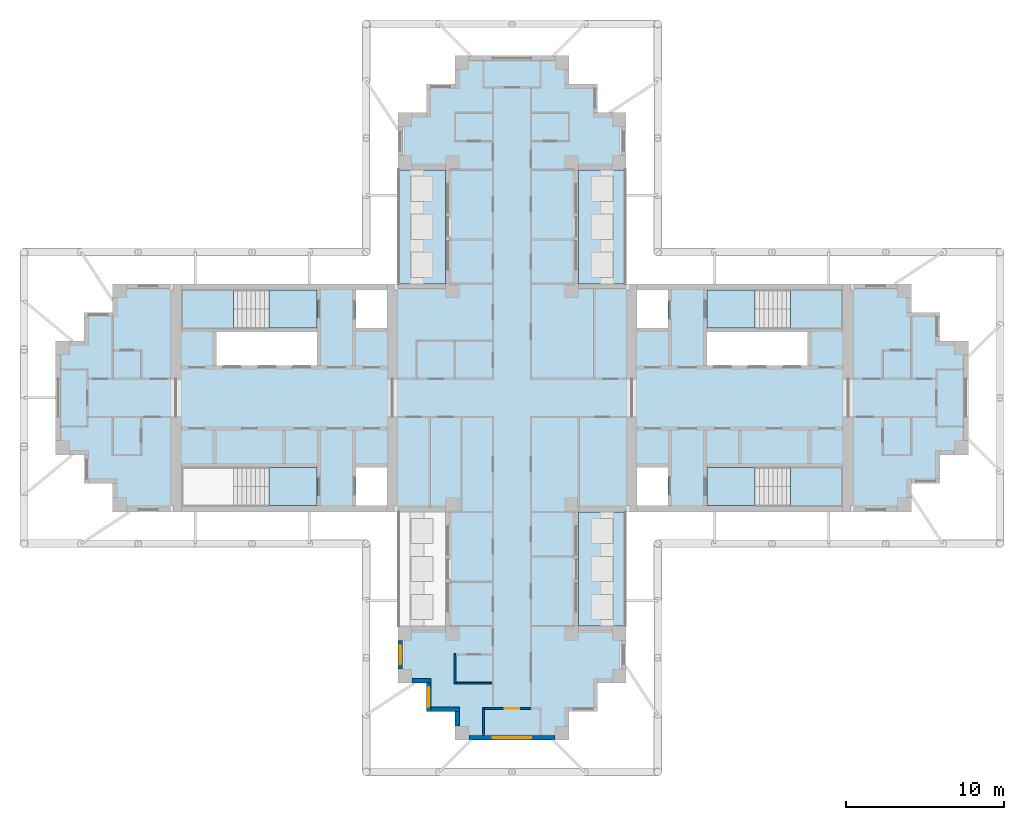
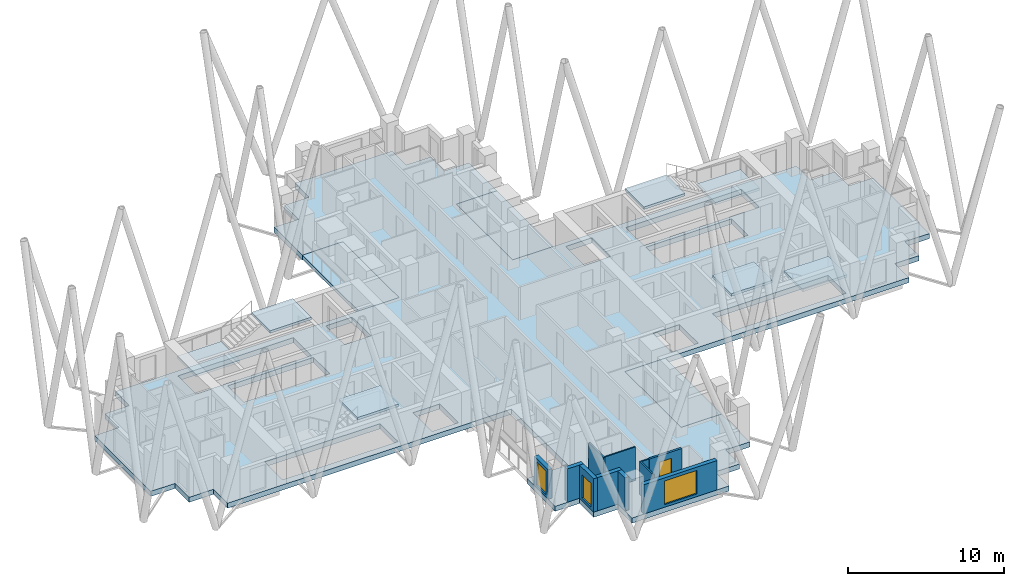
# One storey, part 2 of 11: 11 slabs, 11 walls, 3 windows, 1 door, 4 openings, 4 elements without a shape of their own.
"""IFC4 building model written with IfcOpenShell, lengths in metres."""

from ifc_helpers import new_model, si_unit, direction, frame, frame_2d, origin, place, context, subcontext, project, spatial, polyline, rectangle, outline, extrude, material, layer, layer_set, type_object, element, fill, aggregate, save


model = new_model("IFC4")

# Units and contexts
model_context = context("Model", 3, precision=1e-05, world=origin(), true_north=direction((0.0, 1.0)))
body_context = subcontext(model_context, "Body", "Model", "MODEL_VIEW")
ifc_project = project(units=[si_unit("LENGTHUNIT", "METRE"), si_unit("AREAUNIT", "SQUARE_METRE"), si_unit("VOLUMEUNIT", "CUBIC_METRE"), si_unit("PLANEANGLEUNIT", "RADIAN"), si_unit("MASSUNIT", "GRAM", prefix="KILO")], contexts=[model_context])

# Site, building, storey
site_placement = place(None, origin())
site = spatial("IfcSite", under=ifc_project, at=site_placement, CompositionType="ELEMENT")
building_placement = place(site_placement, origin())
building = spatial("IfcBuilding", under=site, at=building_placement, Name="Fustian Cross Tower", CompositionType="ELEMENT")
storey_placement = place(building_placement, frame((0.0, 0.0, 234.89990234375)))
storey = spatial("IfcBuildingStorey", under=building, at=storey_placement, Name="L74", CompositionType="ELEMENT", Elevation=234.89990234375)

# Slabs
ifc_material_1 = material(Name="Concrete C40/50", Category="concrete")
ifc_layer_1 = layer(ifc_material_1, 0.300048828125)
ifc_layer_set_1 = layer_set([ifc_layer_1], Name="Concrete C40/50")
slab_type_1 = type_object("IfcSlabType", Name="BS1 BALCONY SLAB 300", PredefinedType="FLOOR", material=ifc_layer_set_1)
slab_1_placement = place(storey_placement, frame((0.0, 0.0, -0.2998046875)))
element("IfcSlab", 1, at=slab_1_placement, inside=storey, type_object=slab_type_1, Name="Balcony slab", PredefinedType="FLOOR", context=body_context, shape_type="SweptSolid", body=[
    extrude(outline(polyline([(4.199951171875, 7.199951171875), (7.199951171875, 7.199951171875), (7.199951171875, 14.39990234375), (4.199951171875, 14.39990234375), (4.199951171875, 7.199951171875)])), origin(), (0.0, 0.0, 1.0), 0.2998046875),
])
slab_2_placement = place(storey_placement, frame((0.0, 0.0, -0.2998046875)))
element("IfcSlab", 2, at=slab_2_placement, inside=storey, type_object=slab_type_1, Name="Balcony slab", PredefinedType="FLOOR", context=body_context, shape_type="SweptSolid", body=[
    extrude(outline(polyline([(-7.199951171875, 7.199951171875), (-4.199951171875, 7.199951171875), (-4.199951171875, 14.39990234375), (-7.199951171875, 14.39990234375), (-7.199951171875, 7.199951171875)])), origin(), (0.0, 0.0, 1.0), 0.2998046875),
])
slab_3_placement = place(storey_placement, frame((0.0, 0.0, -0.2998046875)))
element("IfcSlab", 3, at=slab_3_placement, inside=storey, type_object=slab_type_1, Name="Balcony slab", PredefinedType="FLOOR", context=body_context, shape_type="SweptSolid", body=[
    extrude(outline(polyline([(4.199951171875, -14.39990234375), (7.199951171875, -14.39990234375), (7.199951171875, -7.199951171875), (4.199951171875, -7.199951171875), (4.199951171875, -14.39990234375)])), origin(), (0.0, 0.0, 1.0), 0.2998046875),
])
ifc_material_2 = material(Name="Concrete C40/50", Category="concrete")
ifc_layer_2 = layer(ifc_material_2, 0.39990234375)
ifc_layer_set_2 = layer_set([ifc_layer_2], Name="Concrete C40/50")
slab_type_2 = type_object("IfcSlabType", Name="FLAT SLAB 400", PredefinedType="FLOOR", material=ifc_layer_set_2)
slab_4_placement = place(storey_placement, frame((0.0, 0.0, -0.39990234375)))
element("IfcSlab", 4, at=slab_4_placement, inside=storey, type_object=slab_type_2, Name="FLOOR SLAB L74-1", PredefinedType="FLOOR", context=body_context, shape_type="SweptSolid", body=[
    extrude(outline(polyline([(-3.60009765625, -19.800048828125), (-5.39990234375, -19.800048828125), (-5.39990234375, -18.0), (-7.199951171875, -18.0), (-7.199951171875, -14.39990234375), (-4.199951171875, -14.39990234375), (-4.199951171875, -7.199951171875), (-25.199951171875, -7.199951171875), (-25.199951171875, -5.39990234375), (-27.0, -5.39990234375), (-27.0, -3.60009765625), (-28.800048828125, -3.60009765625), (-28.800048828125, 3.60009765625), (-27.0, 3.60009765625), (-27.0, 5.39990234375), (-25.199951171875, 5.39990234375), (-25.199951171875, 7.199951171875), (-4.199951171875, 7.199951171875), (-4.199951171875, 14.39990234375), (-7.199951171875, 14.39990234375), (-7.199951171875, 18.0), (-5.39990234375, 18.0), (-5.39990234375, 19.800048828125), (-3.60009765625, 19.800048828125), (-3.60009765625, 21.60009765625), (3.60009765625, 21.60009765625), (3.60009765625, 19.800048828125), (5.39990234375, 19.800048828125), (5.39990234375, 18.0), (7.199951171875, 18.0), (7.199951171875, 14.39990234375), (4.199951171875, 14.39990234375), (4.199951171875, 7.199951171875), (25.199951171875, 7.199951171875), (25.199951171875, 5.39990234375), (27.0, 5.39990234375), (27.0, 3.60009765625), (28.800048828125, 3.60009765625), (28.800048828125, -3.60009765625), (27.0, -3.60009765625), (27.0, -5.39990234375), (25.199951171875, -5.39990234375), (25.199951171875, -7.199951171875), (4.199951171875, -7.199951171875), (4.199951171875, -14.39990234375), (7.199951171875, -14.39990234375), (7.199951171875, -18.0), (5.39990234375, -18.0), (5.39990234375, -19.800048828125), (3.60009765625, -19.800048828125), (3.60009765625, -21.60009765625), (-3.60009765625, -21.60009765625), (-3.60009765625, -19.800048828125)]), holes=[polyline([(7.89990234375, 6.800048828125), (7.89990234375, 4.39990234375), (9.85009765625, 4.39990234375), (9.85009765625, 6.800048828125), (7.89990234375, 6.800048828125)]), polyline([(9.85009765625, -4.39990234375), (7.89990234375, -4.39990234375), (7.89990234375, -6.800048828125), (9.85009765625, -6.800048828125), (9.85009765625, -4.39990234375)]), polyline([(-7.89990234375, 4.39990234375), (-7.89990234375, 6.800048828125), (-9.85009765625, 6.800048828125), (-9.85009765625, 4.39990234375), (-7.89990234375, 4.39990234375)]), polyline([(-9.85009765625, -6.800048828125), (-7.89990234375, -6.800048828125), (-7.89990234375, -4.39990234375), (-9.85009765625, -4.39990234375), (-9.85009765625, -6.800048828125)]), polyline([(12.300048828125, 4.14990234375), (12.300048828125, 2.050048828125), (18.64990234375, 2.050048828125), (18.64990234375, 4.14990234375), (12.300048828125, 4.14990234375)]), polyline([(-12.300048828125, 4.14990234375), (-18.64990234375, 4.14990234375), (-18.64990234375, 2.050048828125), (-12.300048828125, 2.050048828125), (-12.300048828125, 4.14990234375)]), polyline([(20.85009765625, 4.39990234375), (20.85009765625, 6.699951171875), (12.300048828125, 6.699951171875), (12.300048828125, 4.39990234375), (20.85009765625, 4.39990234375)]), polyline([(12.300048828125, -6.699951171875), (20.85009765625, -6.699951171875), (20.85009765625, -4.39990234375), (12.300048828125, -4.39990234375), (12.300048828125, -6.699951171875)]), polyline([(-20.85009765625, 6.699951171875), (-20.85009765625, 4.39990234375), (-12.300048828125, 4.39990234375), (-12.300048828125, 6.699951171875), (-20.85009765625, 6.699951171875)]), polyline([(-12.300048828125, -4.39990234375), (-20.85009765625, -4.39990234375), (-20.85009765625, -6.699951171875), (-12.300048828125, -6.699951171875), (-12.300048828125, -4.39990234375)])]), origin(), (0.0, 0.0, 1.0), 0.39990234375),
])

# Stair, slabs
ifc_material_3 = material(Name="Concrete C50/60", Category="concrete")
stair_type = type_object("IfcStairType", Name="STAIR 1200 HALF TURN", PredefinedType="HALF_TURN_STAIR", material=ifc_material_3)
stair_1_placement = place(storey_placement, origin())
stair_1 = element("IfcStair", 5, at=stair_1_placement, inside=storey, type_object=stair_type, Name="Stair ST1", PredefinedType="HALF_TURN_STAIR")
ifc_material_4 = material(Name="Concrete C50/60", Category="concrete")
ifc_layer_3 = layer(ifc_material_4, 0.199951171875)
ifc_layer_set_3 = layer_set([ifc_layer_3], Name="Concrete C50/60")
slab_type_3 = type_object("IfcSlabType", Name="STAIR LANDING", PredefinedType="LANDING", material=ifc_layer_set_3)
slab_5_placement = place(storey_placement, frame((0.0, 0.0, 1.300048828125)))
slab_5 = element("IfcSlab", 6, at=slab_5_placement, type_object=slab_type_3, Name="ST1 landing 1", PredefinedType="LANDING", context=body_context, shape_type="SweptSolid", body=[
    extrude(outline(polyline([(17.590087890625, 4.39990234375), (20.85009765625, 4.39990234375), (20.85009765625, 6.800048828125), (17.590087890625, 6.800048828125), (17.590087890625, 4.39990234375)])), origin(), (0.0, 0.0, 1.0), 0.199951171875),
])
slab_6_placement = place(storey_placement, frame((0.0, 0.0, 2.800048828125)))
slab_6 = element("IfcSlab", 7, at=slab_6_placement, type_object=slab_type_3, Name="ST1 landing 2", PredefinedType="LANDING", context=body_context, shape_type="SweptSolid", body=[
    extrude(outline(polyline([(12.300048828125, 4.39990234375), (15.35009765625, 4.39990234375), (15.35009765625, 6.800048828125), (12.300048828125, 6.800048828125), (12.300048828125, 4.39990234375)])), origin(), (0.0, 0.0, 1.0), 0.199951171875),
])
aggregate(stair_1, [slab_5, slab_6])

stair_2_placement = place(storey_placement, origin())
stair_2 = element("IfcStair", 8, at=stair_2_placement, inside=storey, type_object=stair_type, Name="Stair ST2", PredefinedType="HALF_TURN_STAIR")
slab_7_placement = place(storey_placement, frame((0.0, 0.0, 1.300048828125)))
slab_7 = element("IfcSlab", 9, at=slab_7_placement, type_object=slab_type_3, Name="ST2 landing 1", PredefinedType="LANDING", context=body_context, shape_type="SweptSolid", body=[
    extrude(outline(polyline([(17.590087890625, -4.39990234375), (20.85009765625, -4.39990234375), (20.85009765625, -6.800048828125), (17.590087890625, -6.800048828125), (17.590087890625, -4.39990234375)])), origin(), (0.0, 0.0, 1.0), 0.199951171875),
])
slab_8_placement = place(storey_placement, frame((0.0, 0.0, 2.800048828125)))
slab_8 = element("IfcSlab", 10, at=slab_8_placement, type_object=slab_type_3, Name="ST2 landing 2", PredefinedType="LANDING", context=body_context, shape_type="SweptSolid", body=[
    extrude(outline(polyline([(12.300048828125, -4.39990234375), (15.35009765625, -4.39990234375), (15.35009765625, -6.800048828125), (12.300048828125, -6.800048828125), (12.300048828125, -4.39990234375)])), origin(), (0.0, 0.0, 1.0), 0.199951171875),
])
aggregate(stair_2, [slab_7, slab_8])

stair_3_placement = place(storey_placement, origin())
stair_3 = element("IfcStair", 11, at=stair_3_placement, inside=storey, type_object=stair_type, Name="Stair ST3", PredefinedType="HALF_TURN_STAIR")
slab_9_placement = place(storey_placement, frame((0.0, 0.0, 1.300048828125)))
slab_9 = element("IfcSlab", 12, at=slab_9_placement, type_object=slab_type_3, Name="ST3 landing 1", PredefinedType="LANDING", context=body_context, shape_type="SweptSolid", body=[
    extrude(outline(polyline([(-17.590087890625, 4.39990234375), (-20.85009765625, 4.39990234375), (-20.85009765625, 6.800048828125), (-17.590087890625, 6.800048828125), (-17.590087890625, 4.39990234375)])), origin(), (0.0, 0.0, 1.0), 0.199951171875),
])
slab_10_placement = place(storey_placement, frame((0.0, 0.0, 2.800048828125)))
slab_10 = element("IfcSlab", 13, at=slab_10_placement, type_object=slab_type_3, Name="ST3 landing 2", PredefinedType="LANDING", context=body_context, shape_type="SweptSolid", body=[
    extrude(outline(polyline([(-12.300048828125, 4.39990234375), (-15.35009765625, 4.39990234375), (-15.35009765625, 6.800048828125), (-12.300048828125, 6.800048828125), (-12.300048828125, 4.39990234375)])), origin(), (0.0, 0.0, 1.0), 0.199951171875),
])
aggregate(stair_3, [slab_9, slab_10])

# Stair, slab
stair_4_placement = place(storey_placement, origin())
stair_4 = element("IfcStair", 14, at=stair_4_placement, inside=storey, type_object=stair_type, Name="Stair ST4", PredefinedType="HALF_TURN_STAIR")
slab_11_placement = place(storey_placement, frame((0.0, 0.0, 2.800048828125)))
slab_11 = element("IfcSlab", 15, at=slab_11_placement, type_object=slab_type_3, Name="ST4 landing 2", PredefinedType="LANDING", context=body_context, shape_type="SweptSolid", body=[
    extrude(outline(polyline([(-12.300048828125, -4.39990234375), (-15.35009765625, -4.39990234375), (-15.35009765625, -6.800048828125), (-12.300048828125, -6.800048828125), (-12.300048828125, -4.39990234375)])), origin(), (0.0, 0.0, 1.0), 0.199951171875),
])
aggregate(stair_4, [slab_11])

# Wall, opening, door
ifc_material_5 = material(Name="Plasterboard on steel stud", Category="steel")
ifc_layer_4 = layer(ifc_material_5, 0.14990234375)
ifc_layer_set_4 = layer_set([ifc_layer_4], Name="Plasterboard on steel stud")
wall_type_1 = type_object("IfcWallType", Name="COMPARTMENT WALL 150 EI 60", PredefinedType="PARTITIONING", material=ifc_layer_set_4)
wall_1_placement = place(storey_placement, frame((-1.199951171875, -19.60009765625, 0.0), z_axis=(0.0, 0.0, 1.0), x_axis=(1.0, 0.0, 0.0)))
wall_1 = element("IfcWall", 16, at=wall_1_placement, inside=storey, type_object=wall_type_1, Name="Partition 39", PredefinedType="PARTITIONING", context=body_context, shape_type="SweptSolid", body=[
    extrude(rectangle(XDim=2.39990234375, YDim=0.14990234375, at=frame_2d((1.199951171875, 0.0))), origin(), (0.0, 0.0, 1.0), 2.60009765625),
])
opening_1_placement = place(wall_1_placement, frame((0.75, 0.0, 0.0)))
opening_1 = element("IfcOpeningElement", 17, at=opening_1_placement, cuts=wall_1, Name="Opening D33032", PredefinedType="OPENING", context=body_context, shape_type="SweptSolid", body=[
    extrude(rectangle(XDim=0.89990234375, YDim=2.10009765625, at=frame_2d((0.449951171875, 1.050048828125))), frame((0.0, 0.0849609375, 0.0), z_axis=(0.0, -1.0, 0.0), x_axis=(1.0, 0.0, 0.0)), (0.0, 0.0, 1.0), 0.169921875),
])
ifc_material_6 = material(Name="Timber fire door set", Category="wood")
door_type = type_object("IfcDoorType", Name="FIRE SWING DOOR 900 FD30S", OperationType="SINGLE_SWING_LEFT", PredefinedType="DOOR", material=ifc_material_6)
door_placement = place(opening_1_placement, frame((0.89990234375, 0.0, 0.0), z_axis=(0.0, 0.0, 1.0), x_axis=(-1.0, 0.0, 0.0)))
door = element("IfcDoor", 18, at=door_placement, inside=storey, type_object=door_type, Name="Door D33032", OperationType="SINGLE_SWING_RIGHT", OverallHeight=2.10009765625, OverallWidth=0.89990234375, PredefinedType="DOOR", context=body_context, shape_type="SweptSolid", body=[
    extrude(rectangle(XDim=0.89990234375, YDim=2.10009765625, at=frame_2d((0.449951171875, 1.050048828125))), frame((0.0, 0.02490234375, 0.0), z_axis=(0.0, -1.0, 0.0), x_axis=(1.0, 0.0, 0.0)), (0.0, 0.0, 1.0), 0.050048828125),
])
fill(opening_1, door)

# Walls
ifc_material_7 = material(Name="Plasterboard on steel stud", Category="steel")
ifc_layer_5 = layer(ifc_material_7, 0.10009765625)
ifc_layer_set_5 = layer_set([ifc_layer_5], Name="Plasterboard on steel stud")
wall_type_2 = type_object("IfcWallType", Name="PARTITION 100 STUD", PredefinedType="PARTITIONING", material=ifc_layer_set_5)
wall_2_placement = place(storey_placement, frame((-3.60009765625, -18.050048828125, 0.0), z_axis=(0.0, 0.0, 1.0), x_axis=(0.0, 1.0, 0.0)))
element("IfcWall", 19, at=wall_2_placement, inside=storey, type_object=wall_type_2, Name="Partition 26", PredefinedType="PARTITIONING", context=body_context, shape_type="SweptSolid", body=[
    extrude(rectangle(XDim=1.900146484375, YDim=0.10009765625, at=frame_2d((0.9501953125, 0.0))), origin(), (0.0, 0.0, 1.0), 2.60009765625),
])
wall_3_placement = place(storey_placement, frame((-3.550048828125, -18.0, 0.0), z_axis=(0.0, 0.0, 1.0), x_axis=(1.0, 0.0, 0.0)))
element("IfcWall", 20, at=wall_3_placement, inside=storey, type_object=wall_type_2, Name="Partition 27", PredefinedType="PARTITIONING", context=body_context, shape_type="SweptSolid", body=[
    extrude(rectangle(XDim=2.275146484375, YDim=0.10009765625, at=frame_2d((1.1376953125, 0.0))), origin(), (0.0, 0.0, 1.0), 2.60009765625),
])
wall_4_placement = place(storey_placement, frame((-1.800048828125, -21.300048828125, 0.0), z_axis=(0.0, 0.0, 1.0), x_axis=(0.0, 1.0, 0.0)))
element("IfcWall", 21, at=wall_4_placement, inside=storey, type_object=wall_type_2, Name="Partition 34", PredefinedType="PARTITIONING", context=body_context, shape_type="SweptSolid", body=[
    extrude(rectangle(XDim=1.75, YDim=0.10009765625, at=frame_2d((0.875, 0.0))), origin(), (0.0, 0.0, 1.0), 2.60009765625),
])
wall_5_placement = place(storey_placement, frame((-1.75, -19.60009765625, 0.0), z_axis=(0.0, 0.0, 1.0), x_axis=(1.0, 0.0, 0.0)))
element("IfcWall", 22, at=wall_5_placement, inside=storey, type_object=wall_type_2, Name="Partition 35", PredefinedType="PARTITIONING", context=body_context, shape_type="SweptSolid", body=[
    extrude(rectangle(XDim=0.550048828125, YDim=0.10009765625, at=frame_2d((0.27490234375, 0.0))), origin(), (0.0, 0.0, 1.0), 2.60009765625),
])

# Wall, opening, window
ifc_material_8 = material(Name="Dark aluminium cladding on insulated backing wall", Category="aluminium")
ifc_layer_6 = layer(ifc_material_8, 0.300048828125)
ifc_layer_set_6 = layer_set([ifc_layer_6], Name="Dark aluminium cladding on insulated backing wall")
wall_type_3 = type_object("IfcWallType", Name="XW1 EXTERNAL WALL 300", PredefinedType="SOLIDWALL", material=ifc_layer_set_6)
wall_6_placement = place(storey_placement, frame((-7.050048828125, -15.300048828125, 0.0), z_axis=(0.0, 0.0, 1.0), x_axis=(0.0, -1.0, 0.0)))
wall_6 = element("IfcWall", 23, at=wall_6_placement, inside=storey, type_object=wall_type_3, Name="External wall", PredefinedType="SOLIDWALL", context=body_context, shape_type="SweptSolid", body=[
    extrude(rectangle(XDim=1.800048828125, YDim=0.300048828125, at=frame_2d((0.89990234375, 0.0))), origin(), (0.0, 0.0, 1.0), 2.300048828125),
])
opening_2_placement = place(wall_6_placement, frame((0.300048828125, 0.0, 0.199951171875)))
opening_2 = element("IfcOpeningElement", 24, at=opening_2_placement, cuts=wall_6, Name="Opening WN3", PredefinedType="OPENING", context=body_context, shape_type="SweptSolid", body=[
    extrude(rectangle(XDim=1.199951171875, YDim=1.85009765625, at=frame_2d((0.60009765625, 0.925048828125))), frame((0.0, 0.159912109375, 0.0), z_axis=(0.0, -1.0, 0.0), x_axis=(1.0, 0.0, 0.0)), (0.0, 0.0, 1.0), 0.320068359375),
])
ifc_material_9 = material(Name="Dark anodised aluminium and double glazing", Category="aluminium")
window_type_1 = type_object("IfcWindowType", Name="WN3 WINDOW 1200X1850", PartitioningType="SINGLE_PANEL", PredefinedType="WINDOW", material=ifc_material_9)
window_1_placement = place(opening_2_placement, origin())
window_1 = element("IfcWindow", 25, at=window_1_placement, inside=storey, type_object=window_type_1, Name="Window", OverallHeight=1.85009765625, OverallWidth=1.199951171875, PartitioningType="SINGLE_PANEL", PredefinedType="WINDOW", context=body_context, shape_type="SweptSolid", body=[
    extrude(rectangle(XDim=1.199951171875, YDim=1.85009765625, at=frame_2d((0.60009765625, 0.925048828125))), frame((0.0, 0.030029296875, 0.0), z_axis=(0.0, -1.0, 0.0), x_axis=(1.0, 0.0, 0.0)), (0.0, 0.0, 1.0), 0.06005859375),
])
fill(opening_2, window_1)

# Wall
wall_7_placement = place(storey_placement, frame((-6.300048828125, -17.85009765625, 0.0), z_axis=(0.0, 0.0, 1.0), x_axis=(1.0, 0.0, 0.0)))
element("IfcWall", 26, at=wall_7_placement, inside=storey, type_object=wall_type_3, Name="External wall", PredefinedType="SOLIDWALL", context=body_context, shape_type="SweptSolid", body=[
    extrude(rectangle(XDim=1.199951171875, YDim=0.300048828125, at=frame_2d((0.60009765625, 0.0))), origin(), (0.0, 0.0, 1.0), 2.60009765625),
])

# Wall, opening, window
wall_8_placement = place(storey_placement, frame((-5.25, -18.0, 0.0), z_axis=(0.0, 0.0, 1.0), x_axis=(0.0, -1.0, 0.0)))
wall_8 = element("IfcWall", 27, at=wall_8_placement, inside=storey, type_object=wall_type_3, Name="External wall", PredefinedType="SOLIDWALL", context=body_context, shape_type="SweptSolid", body=[
    extrude(rectangle(XDim=1.800048828125, YDim=0.300048828125, at=frame_2d((0.89990234375, 0.0))), origin(), (0.0, 0.0, 1.0), 2.60009765625),
])
opening_3_placement = place(wall_8_placement, frame((0.300048828125, 0.0, 0.199951171875)))
opening_3 = element("IfcOpeningElement", 28, at=opening_3_placement, cuts=wall_8, Name="Opening WN3", PredefinedType="OPENING", context=body_context, shape_type="SweptSolid", body=[
    extrude(rectangle(XDim=1.199951171875, YDim=1.85009765625, at=frame_2d((0.60009765625, 0.925048828125))), frame((0.0, 0.159912109375, 0.0), z_axis=(0.0, -1.0, 0.0), x_axis=(1.0, 0.0, 0.0)), (0.0, 0.0, 1.0), 0.320068359375),
])
window_2_placement = place(opening_3_placement, origin())
window_2 = element("IfcWindow", 29, at=window_2_placement, inside=storey, type_object=window_type_1, Name="Window", OverallHeight=1.85009765625, OverallWidth=1.199951171875, PartitioningType="SINGLE_PANEL", PredefinedType="WINDOW", context=body_context, shape_type="SweptSolid", body=[
    extrude(rectangle(XDim=1.199951171875, YDim=1.85009765625, at=frame_2d((0.60009765625, 0.925048828125))), frame((0.0, 0.030029296875, 0.0), z_axis=(0.0, -1.0, 0.0), x_axis=(1.0, 0.0, 0.0)), (0.0, 0.0, 1.0), 0.06005859375),
])
fill(opening_3, window_2)

# Walls
wall_9_placement = place(storey_placement, frame((-5.10009765625, -19.64990234375, 0.0), z_axis=(0.0, 0.0, 1.0), x_axis=(1.0, 0.0, 0.0)))
element("IfcWall", 30, at=wall_9_placement, inside=storey, type_object=wall_type_3, Name="External wall", PredefinedType="SOLIDWALL", context=body_context, shape_type="SweptSolid", body=[
    extrude(rectangle(XDim=1.800048828125, YDim=0.300048828125, at=frame_2d((0.89990234375, 0.0))), origin(), (0.0, 0.0, 1.0), 2.60009765625),
])
wall_10_placement = place(storey_placement, frame((-3.449951171875, -19.800048828125, 0.0), z_axis=(0.0, 0.0, 1.0), x_axis=(0.0, -1.0, 0.0)))
element("IfcWall", 31, at=wall_10_placement, inside=storey, type_object=wall_type_3, Name="External wall", PredefinedType="SOLIDWALL", context=body_context, shape_type="SweptSolid", body=[
    extrude(rectangle(XDim=0.89990234375, YDim=0.300048828125, at=frame_2d((0.449951171875, 0.0))), origin(), (0.0, 0.0, 1.0), 2.60009765625),
])

# Wall, opening, window
wall_11_placement = place(storey_placement, frame((-2.699951171875, -21.449951171875, 0.0), z_axis=(0.0, 0.0, 1.0), x_axis=(1.0, 0.0, 0.0)))
wall_11 = element("IfcWall", 32, at=wall_11_placement, inside=storey, type_object=wall_type_3, Name="External wall", PredefinedType="SOLIDWALL", context=body_context, shape_type="SweptSolid", body=[
    extrude(rectangle(XDim=5.39990234375, YDim=0.300048828125, at=frame_2d((2.699951171875, 0.0))), origin(), (0.0, 0.0, 1.0), 2.300048828125),
])
opening_4_placement = place(wall_11_placement, frame((1.5, 0.0, 0.199951171875)))
opening_4 = element("IfcOpeningElement", 33, at=opening_4_placement, cuts=wall_11, Name="Opening WN1", PredefinedType="OPENING", context=body_context, shape_type="SweptSolid", body=[
    extrude(rectangle(XDim=2.39990234375, YDim=1.85009765625, at=frame_2d((1.199951171875, 0.925048828125))), frame((0.0, 0.159912109375, 0.0), z_axis=(0.0, -1.0, 0.0), x_axis=(1.0, 0.0, 0.0)), (0.0, 0.0, 1.0), 0.320068359375),
])
ifc_material_10 = material(Name="Dark anodised aluminium and double glazing", Category="aluminium")
window_type_2 = type_object("IfcWindowType", Name="WN1 WINDOW 2400X1850", PartitioningType="SINGLE_PANEL", PredefinedType="WINDOW", material=ifc_material_10)
window_3_placement = place(opening_4_placement, origin())
window_3 = element("IfcWindow", 34, at=window_3_placement, inside=storey, type_object=window_type_2, Name="Window", OverallHeight=1.85009765625, OverallWidth=2.39990234375, PartitioningType="SINGLE_PANEL", PredefinedType="WINDOW", context=body_context, shape_type="SweptSolid", body=[
    extrude(rectangle(XDim=2.39990234375, YDim=1.85009765625, at=frame_2d((1.199951171875, 0.925048828125))), frame((0.0, 0.030029296875, 0.0), z_axis=(0.0, -1.0, 0.0), x_axis=(1.0, 0.0, 0.0)), (0.0, 0.0, 1.0), 0.06005859375),
])
fill(opening_4, window_3)

save(model, "model.ifc")
